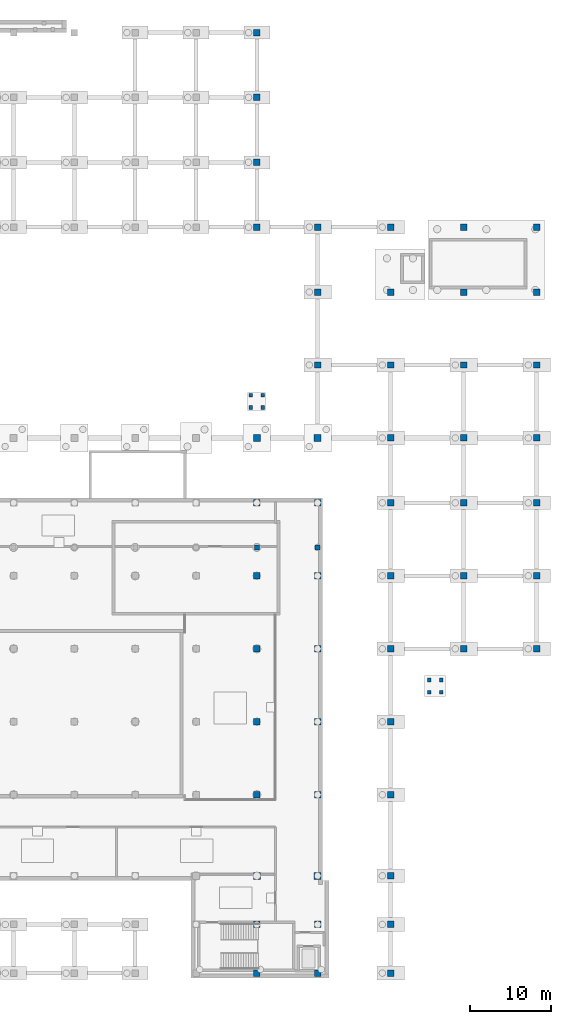
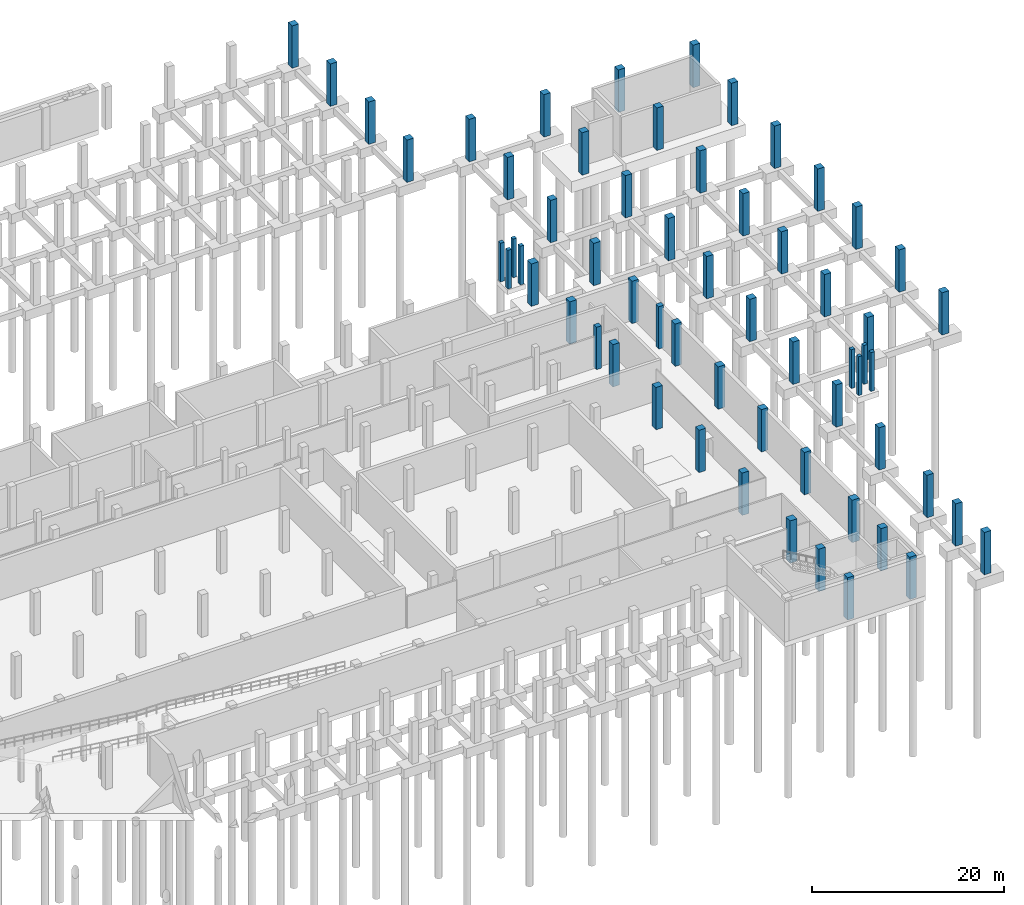
# One storey, part 6 of 19: 61 columns.
"""IFC4 building model written with IfcOpenShell, lengths in metres."""

import ifcopenshell
import ifcopenshell.guid

model = None  # the IFC model being written
_history = None  # IfcOwnerHistory: only IFC2X3 demands one
_inside = {}  # id of a spatial element -> (the spatial element, [elements in it])
_under = {}  # id of a project, library or spatial element -> (it, [spatial elements below it])
_declared = {}  # id of a project -> (the project, [libraries it declares])
_typed = {}  # id of a type object -> (the type object, [elements of that type])
_made_of = {}  # id of a material, layer set ... -> (it, [elements and type objects made of it])


def new_model(schema):
    """Start an empty IFC model of exactly this schema.

    Asked for "IFC4X3", IfcOpenShell would pick the latest addendum, in which some entities
    have other attributes; the version numbers below select the first issue.
    IFC2X3 requires an IfcOwnerHistory on every rooted entity: one is made here for all.
    """
    global model, _history
    if schema == "IFC4X3":
        model = ifcopenshell.file(schema_version=(4, 3, 0, 0))
    else:
        model = ifcopenshell.file(schema=schema)
    _inside.clear()
    _under.clear()
    _declared.clear()
    _typed.clear()
    _made_of.clear()
    _history = None
    if model.schema == "IFC2X3":
        org = make("IfcOrganization", Name="unknown")
        user = make(
            "IfcPersonAndOrganization",
            ThePerson=make("IfcPerson", FamilyName="unknown"),
            TheOrganization=org,
        )
        app = make(
            "IfcApplication",
            ApplicationDeveloper=org,
            Version="unknown",
            ApplicationFullName="unknown",
            ApplicationIdentifier="unknown",
        )
        _history = make(
            "IfcOwnerHistory",
            OwningUser=user,
            OwningApplication=app,
            ChangeAction="ADDED",
            CreationDate=0,
        )
    return model


def make(cls, **values):
    """One entity of the class cls with the attributes given. An attribute that is None is left unset."""
    return model.create_entity(
        cls, **{name: value for name, value in values.items() if value is not None}
    )


def rooted(cls, **values):
    """An entity with a GlobalId (a new one), such as an element, a storey or a relation."""
    return make(cls, GlobalId=ifcopenshell.guid.new(), OwnerHistory=_history, **values)


def si_unit(unit_type, name, prefix=None):
    """IfcSIUnit, for example si_unit("LENGTHUNIT", "METRE", prefix="MILLI")."""
    return make("IfcSIUnit", UnitType=unit_type, Prefix=prefix, Name=name)


def assignment(units):
    """IfcUnitAssignment: the units of a project."""
    return None if units is None else make("IfcUnitAssignment", Units=units)


def point(xyz):
    """IfcCartesianPoint."""
    return None if xyz is None else make("IfcCartesianPoint", Coordinates=xyz)


def direction(xyz):
    """IfcDirection."""
    return None if xyz is None else make("IfcDirection", DirectionRatios=xyz)


def frame(location, z_axis=None, x_axis=None):
    """IfcAxis2Placement3D, a coordinate frame: its origin and axes. An axis left out is left unset."""
    return make(
        "IfcAxis2Placement3D",
        Location=point(location),
        Axis=direction(z_axis),
        RefDirection=direction(x_axis),
    )


def frame_2d(location, x_axis=None):
    """IfcAxis2Placement2D, a coordinate frame in the plane: its origin and x axis."""
    return make(
        "IfcAxis2Placement2D", Location=point(location), RefDirection=direction(x_axis)
    )


def origin():
    """The frame at (0, 0, 0) with its axes left unset."""
    return frame((0.0, 0.0, 0.0))


def origin_2d():
    """The frame at (0, 0) in the plane with its x axis left unset."""
    return frame_2d((0.0, 0.0))


def place(relative_to, where):
    """IfcLocalPlacement: puts the frame where relative to a parent placement (None: the world)."""
    return make(
        "IfcLocalPlacement", PlacementRelTo=relative_to, RelativePlacement=where
    )


def context(
    kind, dimensions, precision=None, world=None, true_north=None, identifier=None
):
    """IfcGeometricRepresentationContext, for example the 3D "Model" context."""
    return make(
        "IfcGeometricRepresentationContext",
        ContextIdentifier=identifier,
        ContextType=kind,
        CoordinateSpaceDimension=dimensions,
        Precision=precision,
        WorldCoordinateSystem=world,
        TrueNorth=true_north,
    )


def subcontext(parent, identifier, kind, view, scale=None):
    """IfcGeometricRepresentationSubContext, for example "Body" below "Model"."""
    return make(
        "IfcGeometricRepresentationSubContext",
        ContextIdentifier=identifier,
        ContextType=kind,
        ParentContext=parent,
        TargetScale=scale,
        TargetView=view,
    )


def project(units=None, contexts=None):
    """IfcProject with its units and contexts."""
    return rooted(
        "IfcProject",
        Name="project",
        RepresentationContexts=contexts,
        UnitsInContext=assignment(units),
    )


def spatial(cls, under=None, at=None, **own):
    """A site, building, storey or space (cls), placed at a placement, below another one or the project."""
    s = rooted(cls, ObjectPlacement=at, **own)
    if under is not None:
        _under.setdefault(under.id(), (under, []))[1].append(s)
    return s


def profile(cls, at=None, kind="AREA", **sizes):
    """A parametric profile (cls). Its sizes go by their IFC names, for example OverallWidth=200.0."""
    return make(cls, ProfileType=kind, Position=at, **sizes)


def rectangle(**sizes):
    """IfcRectangleProfileDef."""
    return profile("IfcRectangleProfileDef", **sizes)


def extrude(swept, where, along, depth):
    """IfcExtrudedAreaSolid: the profile swept, set in the frame where, extruded along a direction by depth."""
    return make(
        "IfcExtrudedAreaSolid",
        SweptArea=swept,
        Position=where,
        ExtrudedDirection=direction(along),
        Depth=depth,
    )


def shape(context_of_items, identifier, shape_type, items):
    """IfcShapeRepresentation: the items that make up one representation, for example the "Body"."""
    return make(
        "IfcShapeRepresentation",
        ContextOfItems=context_of_items,
        RepresentationIdentifier=identifier,
        RepresentationType=shape_type,
        Items=items,
    )


def material(Name=None, Category=None):
    """IfcMaterial."""
    return make("IfcMaterial", Name=Name, Category=Category)


def material_profile(
    of_material, cross_section, Name=None, Category=None, Priority=None
):
    """IfcMaterialProfile: a cross section and its material."""
    return make(
        "IfcMaterialProfile",
        Name=Name,
        Material=of_material,
        Profile=cross_section,
        Priority=Priority,
        Category=Category,
    )


def profile_set(profiles, Name=None, composite=None):
    """IfcMaterialProfileSet."""
    return make(
        "IfcMaterialProfileSet",
        Name=Name,
        MaterialProfiles=profiles,
        CompositeProfile=composite,
    )


def made_of(thing, what):
    """Note that an element or type object is made of a material, layer set ...; save() writes the relation."""
    if what is not None:
        _made_of.setdefault(what.id(), (what, []))[1].append(thing)
    return thing


def type_object(cls, material=None, **own):
    """A type object (cls), such as IfcWallType, which elements share."""
    return made_of(rooted(cls, **own), material)


def element(
    cls,
    number,
    at=None,
    inside=None,
    cuts=None,
    type_object=None,
    material=None,
    context=None,
    identifier="Body",
    shape_type=None,
    held_by="IfcProductDefinitionShape",
    body=None,
    shapes=None,
    **own,
):
    """One element of the class cls, such as IfcWall. Its Tag is "e" and its number.

    at: its placement. inside: the storey or other place that contains it. cuts: it is an
    opening in that element (IfcRelVoidsElement). A single representation is given by context,
    identifier, shape_type and body (its items); several are given by shapes. held_by: the class
    of the entity that holds the representations. save() writes the other relations.
    """
    e = rooted(cls, Tag="e%d" % number, ObjectPlacement=at, **own)
    if body is not None:
        shapes = [shape(context, identifier, shape_type, body)]
    if shapes is not None:
        e.Representation = make(held_by, Representations=shapes)
    if inside is not None:
        _inside.setdefault(inside.id(), (inside, []))[1].append(e)
    if cuts is not None:
        rooted(
            "IfcRelVoidsElement", RelatingBuildingElement=cuts, RelatedOpeningElement=e
        )
    if type_object is not None:
        _typed.setdefault(type_object.id(), (type_object, []))[1].append(e)
    return made_of(e, material)


def aggregate(whole, parts):
    """IfcRelAggregates: a whole, such as a stair, and the parts it consists of."""
    return rooted("IfcRelAggregates", RelatingObject=whole, RelatedObjects=parts)


def save(model, path):
    """Write the relations noted so far, then the file.

    IfcRelAggregates (storeys below a building ...), IfcRelContainedInSpatialStructure (elements
    in a storey), IfcRelDefinesByType, IfcRelAssociatesMaterial and IfcRelDeclares: one each for
    every whole, place, type object, material and project.
    """
    for whole, parts in _under.values():
        aggregate(whole, parts)
    for where, things in _inside.values():
        rooted(
            "IfcRelContainedInSpatialStructure",
            RelatedElements=things,
            RelatingStructure=where,
        )
    for kind, things in _typed.values():
        rooted("IfcRelDefinesByType", RelatedObjects=things, RelatingType=kind)
    for what, things in _made_of.values():
        rooted("IfcRelAssociatesMaterial", RelatedObjects=things, RelatingMaterial=what)
    for by, libraries in _declared.values():
        rooted("IfcRelDeclares", RelatingContext=by, RelatedDefinitions=libraries)
    model.write(path)


model = new_model("IFC4")

# Units and contexts
model_context = context("Model", 3, precision=1e-05, world=origin(), true_north=direction((0.0, 1.0)))
body_context = subcontext(model_context, "Body", "Model", "MODEL_VIEW")
ifc_project = project(units=[si_unit("LENGTHUNIT", "METRE"), si_unit("AREAUNIT", "SQUARE_METRE"), si_unit("VOLUMEUNIT", "CUBIC_METRE"), si_unit("PLANEANGLEUNIT", "RADIAN"), si_unit("MASSUNIT", "GRAM", prefix="KILO")], contexts=[model_context])

# Site, building, storey
site_placement = place(None, origin())
site = spatial("IfcSite", under=ifc_project, at=site_placement, CompositionType="ELEMENT")
building_placement = place(site_placement, origin())
building = spatial("IfcBuilding", under=site, at=building_placement, Name="Vourika Railside Aquatics Centre", CompositionType="ELEMENT")
storey_placement = place(building_placement, frame((0.0, 0.0, -5.39990234375)))
storey = spatial("IfcBuildingStorey", under=building, at=storey_placement, Name="B1", CompositionType="ELEMENT", Elevation=-5.39990234375)

# Columns
ifc_material_1 = material(Name="Concrete C35/45", Category="concrete")
ifc_material_profile_1 = material_profile(ifc_material_1, rectangle(XDim=0.449951171875, YDim=0.449951171875, at=origin_2d()), Name="RC 450x450")
ifc_profile_set_1 = profile_set([ifc_material_profile_1], Name="Concrete C35/45")
column_type_1 = type_object("IfcColumnType", Name="COL-RC450", PredefinedType="COLUMN", material=ifc_profile_set_1)
for number, where, z_axis, x_axis, name in (
    (1, (154.75, 34.64990234375, 0.0), (0.0, 0.0, 1.0), (1.0, 0.0, 0.0), "Accessible Ramp Apron Pier 1"),
    (2, (154.75, 36.14990234375, 0.0), (0.0, 0.0, 1.0), (1.0, 0.0, 0.0), "Accessible Ramp Apron Pier 1"),
    (3, (156.25, 34.64990234375, 0.0), (0.0, 0.0, 1.0), (1.0, 0.0, 0.0), "Accessible Ramp Apron Pier 1"),
    (4, (156.25, 36.14990234375, 0.0), (0.0, 0.0, 1.0), (1.0, 0.0, 0.0), "Accessible Ramp Apron Pier 1"),
    (5, (132.72998046875, 69.75, 0.0), (0.0, 0.0, 1.0), (1.0, 0.0, 0.0), "Accessible Ramp Apron Pier 3"),
    (6, (132.72998046875, 71.25, 0.0), (0.0, 0.0, 1.0), (1.0, 0.0, 0.0), "Accessible Ramp Apron Pier 3"),
    (7, (134.22998046875, 69.75, 0.0), (0.0, 0.0, 1.0), (1.0, 0.0, 0.0), "Accessible Ramp Apron Pier 3"),
    (8, (134.22998046875, 71.25, 0.0), (0.0, 0.0, 1.0), (1.0, 0.0, 0.0), "Accessible Ramp Apron Pier 3"),
):
    element("IfcColumn", number, at=place(storey_placement, frame(where, z_axis=z_axis, x_axis=x_axis)), inside=storey, type_object=column_type_1, Name=name, PredefinedType="COLUMN", context=body_context, shape_type="SweptSolid", body=[
        extrude(rectangle(XDim=0.449951171875, YDim=0.449951171875, at=origin_2d()), origin(), (0.0, 0.0, 1.0), 4.93994140625),
    ])
ifc_material_2 = material(Name="Concrete C40/50", Category="concrete")
ifc_material_profile_2 = material_profile(ifc_material_2, rectangle(XDim=0.60009765625, YDim=0.60009765625, at=origin_2d()), Name="RC 600x600")
ifc_profile_set_2 = profile_set([ifc_material_profile_2], Name="Concrete C40/50")
column_type_2 = type_object("IfcColumnType", Name="COL-RC600", PredefinedType="COLUMN", material=ifc_profile_set_2)
for number, where, z_axis, x_axis, name in (
    (9, (133.5, 52.5, 0.0), (0.0, 0.0, 1.0), (1.0, 0.0, 0.0), "Grandstand Substructure Column 133.5"),
    (10, (141.0, 52.5, 0.0), (0.0, 0.0, 1.0), (1.0, 0.0, 0.0), "Grandstand Substructure Column 141.0"),
):
    element("IfcColumn", number, at=place(storey_placement, frame(where, z_axis=z_axis, x_axis=x_axis)), inside=storey, type_object=column_type_2, Name=name, PredefinedType="COLUMN", context=body_context, shape_type="SweptSolid", body=[
        extrude(rectangle(XDim=0.60009765625, YDim=0.60009765625, at=origin_2d()), origin(), (0.0, 0.0, 1.0), 5.39990234375),
    ])
ifc_material_profile_3 = material_profile(ifc_material_2, rectangle(XDim=0.800048828125, YDim=0.800048828125, at=origin_2d()), Name="RC 800x800")
ifc_profile_set_3 = profile_set([ifc_material_profile_3], Name="Concrete C40/50")
column_type_3 = type_object("IfcColumnType", Name="COL-RC800", PredefinedType="COLUMN", material=ifc_profile_set_3)
for number, where, z_axis, x_axis, name in (
    (11, (133.5, 0.0, 0.0), (0.0, 0.0, 1.0), (1.0, 0.0, 0.0), "Column col:B1:1335_0"),
    (12, (133.5, 6.0, 0.0), (0.0, 0.0, 1.0), (1.0, 0.0, 0.0), "Column col:B1:1335_60"),
    (13, (133.5, 22.0, 0.0), (0.0, 0.0, 1.0), (1.0, 0.0, 0.0), "Column col:B1:1335_220"),
    (14, (133.5, 31.0, 0.0), (0.0, 0.0, 1.0), (1.0, 0.0, 0.0), "Column col:B1:1335_310"),
    (15, (133.5, 40.0, 0.0), (0.0, 0.0, 1.0), (1.0, 0.0, 0.0), "Column col:B1:1335_400"),
    (16, (133.5, 49.0, 0.0), (0.0, 0.0, 1.0), (1.0, 0.0, 0.0), "Column col:B1:1335_490"),
    (17, (133.5, 58.0, 0.0), (0.0, 0.0, 1.0), (1.0, 0.0, 0.0), "Column col:B1:1335_580"),
    (18, (133.5, 92.0, 0.0), (0.0, 0.0, 1.0), (1.0, 0.0, 0.0), "Column col:B1:1335_920"),
    (19, (133.5, 100.0, 0.0), (0.0, 0.0, 1.0), (1.0, 0.0, 0.0), "Column col:B1:1335_1000"),
    (20, (133.5, 108.0, 0.0), (0.0, 0.0, 1.0), (1.0, 0.0, 0.0), "Column col:B1:1335_1080"),
    (21, (133.5, 116.0, 0.0), (0.0, 0.0, 1.0), (1.0, 0.0, 0.0), "Column col:B1:1335_1160"),
    (22, (141.0, 0.0, 0.0), (0.0, 0.0, 1.0), (1.0, 0.0, 0.0), "Column col:B1:1410_0"),
    (23, (141.0, 6.0, 0.0), (0.0, 0.0, 1.0), (1.0, 0.0, 0.0), "Column col:B1:1410_60"),
    (24, (141.0, 22.0, 0.0), (0.0, 0.0, 1.0), (1.0, 0.0, 0.0), "Column col:B1:1410_220"),
    (25, (141.0, 31.0, 0.0), (0.0, 0.0, 1.0), (1.0, 0.0, 0.0), "Column col:B1:1410_310"),
    (26, (141.0, 40.0, 0.0), (0.0, 0.0, 1.0), (1.0, 0.0, 0.0), "Column col:B1:1410_400"),
    (27, (141.0, 49.0, 0.0), (0.0, 0.0, 1.0), (1.0, 0.0, 0.0), "Column col:B1:1410_490"),
    (28, (141.0, 58.0, 0.0), (0.0, 0.0, 1.0), (1.0, 0.0, 0.0), "Column col:B1:1410_580"),
    (29, (141.0, 75.0, 0.0), (0.0, 0.0, 1.0), (1.0, 0.0, 0.0), "Column col:B1:1410_750"),
    (30, (141.0, 84.0, 0.0), (0.0, 0.0, 1.0), (1.0, 0.0, 0.0), "Column col:B1:1410_840"),
    (31, (141.0, 92.0, 0.0), (0.0, 0.0, 1.0), (1.0, 0.0, 0.0), "Column col:B1:1410_920"),
    (32, (150.0, 0.0, 0.0), (0.0, 0.0, 1.0), (1.0, 0.0, 0.0), "Column col:B1:1500_0"),
    (33, (150.0, 6.0, 0.0), (0.0, 0.0, 1.0), (1.0, 0.0, 0.0), "Column col:B1:1500_60"),
    (34, (150.0, 12.0, 0.0), (0.0, 0.0, 1.0), (1.0, 0.0, 0.0), "Column col:B1:1500_120"),
    (35, (150.0, 22.0, 0.0), (0.0, 0.0, 1.0), (1.0, 0.0, 0.0), "Column col:B1:1500_220"),
    (36, (150.0, 31.0, 0.0), (0.0, 0.0, 1.0), (1.0, 0.0, 0.0), "Column col:B1:1500_310"),
    (37, (150.0, 40.0, 0.0), (0.0, 0.0, 1.0), (1.0, 0.0, 0.0), "Column col:B1:1500_400"),
    (38, (150.0, 49.0, 0.0), (0.0, 0.0, 1.0), (1.0, 0.0, 0.0), "Column col:B1:1500_490"),
    (39, (150.0, 58.0, 0.0), (0.0, 0.0, 1.0), (1.0, 0.0, 0.0), "Column col:B1:1500_580"),
    (40, (150.0, 66.0, 0.0), (0.0, 0.0, 1.0), (1.0, 0.0, 0.0), "Column col:B1:1500_660"),
    (41, (150.0, 75.0, 0.0), (0.0, 0.0, 1.0), (1.0, 0.0, 0.0), "Column col:B1:1500_750"),
    (42, (150.0, 84.0, 0.0), (0.0, 0.0, 1.0), (1.0, 0.0, 0.0), "Column col:B1:1500_840"),
    (43, (150.0, 92.0, 0.0), (0.0, 0.0, 1.0), (1.0, 0.0, 0.0), "Column col:B1:1500_920"),
    (44, (159.0, 40.0, 0.0), (0.0, 0.0, 1.0), (1.0, 0.0, 0.0), "Column col:B1:1590_400"),
    (45, (159.0, 49.0, 0.0), (0.0, 0.0, 1.0), (1.0, 0.0, 0.0), "Column col:B1:1590_490"),
    (46, (159.0, 58.0, 0.0), (0.0, 0.0, 1.0), (1.0, 0.0, 0.0), "Column col:B1:1590_580"),
    (47, (159.0, 66.0, 0.0), (0.0, 0.0, 1.0), (1.0, 0.0, 0.0), "Column col:B1:1590_660"),
    (48, (159.0, 75.0, 0.0), (0.0, 0.0, 1.0), (1.0, 0.0, 0.0), "Column col:B1:1590_750"),
    (49, (159.0, 84.0, 0.0), (0.0, 0.0, 1.0), (1.0, 0.0, 0.0), "Column col:B1:1590_840"),
    (50, (159.0, 92.0, 0.0), (0.0, 0.0, 1.0), (1.0, 0.0, 0.0), "Column col:B1:1590_920"),
    (51, (168.0, 40.0, 0.0), (0.0, 0.0, 1.0), (1.0, 0.0, 0.0), "Column col:B1:1680_400"),
    (52, (168.0, 49.0, 0.0), (0.0, 0.0, 1.0), (1.0, 0.0, 0.0), "Column col:B1:1680_490"),
    (53, (168.0, 58.0, 0.0), (0.0, 0.0, 1.0), (1.0, 0.0, 0.0), "Column col:B1:1680_580"),
    (54, (168.0, 66.0, 0.0), (0.0, 0.0, 1.0), (1.0, 0.0, 0.0), "Column col:B1:1680_660"),
    (55, (168.0, 75.0, 0.0), (0.0, 0.0, 1.0), (1.0, 0.0, 0.0), "Column col:B1:1680_750"),
    (56, (168.0, 84.0, 0.0), (0.0, 0.0, 1.0), (1.0, 0.0, 0.0), "Column col:B1:1680_840"),
    (57, (168.0, 92.0, 0.0), (0.0, 0.0, 1.0), (1.0, 0.0, 0.0), "Column col:B1:1680_920"),
):
    element("IfcColumn", number, at=place(storey_placement, frame(where, z_axis=z_axis, x_axis=x_axis)), inside=storey, type_object=column_type_3, Name=name, PredefinedType="COLUMN", context=body_context, shape_type="SweptSolid", body=[
        extrude(rectangle(XDim=0.800048828125, YDim=0.800048828125, at=origin_2d()), origin(), (0.0, 0.0, 1.0), 5.39990234375),
    ])
ifc_material_profile_4 = material_profile(ifc_material_2, rectangle(XDim=0.85009765625, YDim=0.85009765625, at=origin_2d()), Name="RC 850x850")
ifc_profile_set_4 = profile_set([ifc_material_profile_4], Name="Concrete C40/50")
column_type_4 = type_object("IfcColumnType", Name="COL-RC850", PredefinedType="COLUMN", material=ifc_profile_set_4)
for number, where, z_axis, x_axis, name in (
    (58, (133.5, 12.0, 0.0), (0.0, 0.0, 1.0), (1.0, 0.0, 0.0), "Column col:B1:1335_120"),
    (59, (133.5, 66.0, 0.0), (0.0, 0.0, 1.0), (1.0, 0.0, 0.0), "Column col:B1:1335_660"),
    (60, (141.0, 12.0, 0.0), (0.0, 0.0, 1.0), (1.0, 0.0, 0.0), "Column col:B1:1410_120"),
    (61, (141.0, 66.0, 0.0), (0.0, 0.0, 1.0), (1.0, 0.0, 0.0), "Column col:B1:1410_660"),
):
    element("IfcColumn", number, at=place(storey_placement, frame(where, z_axis=z_axis, x_axis=x_axis)), inside=storey, type_object=column_type_4, Name=name, PredefinedType="COLUMN", context=body_context, shape_type="SweptSolid", body=[
        extrude(rectangle(XDim=0.85009765625, YDim=0.85009765625, at=origin_2d()), origin(), (0.0, 0.0, 1.0), 5.39990234375),
    ])

save(model, "model.ifc")
